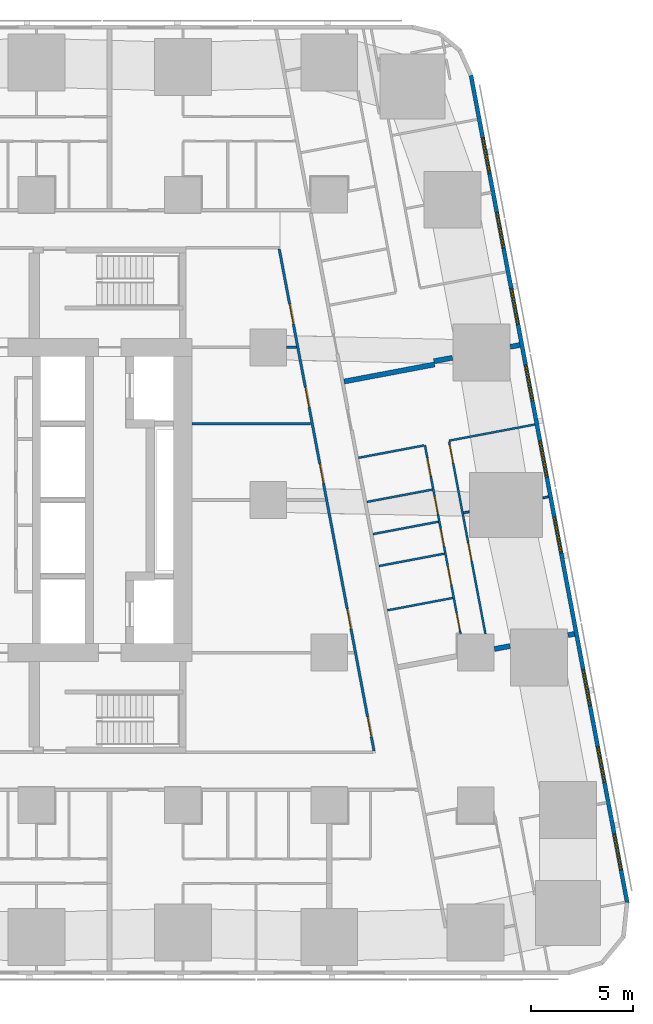
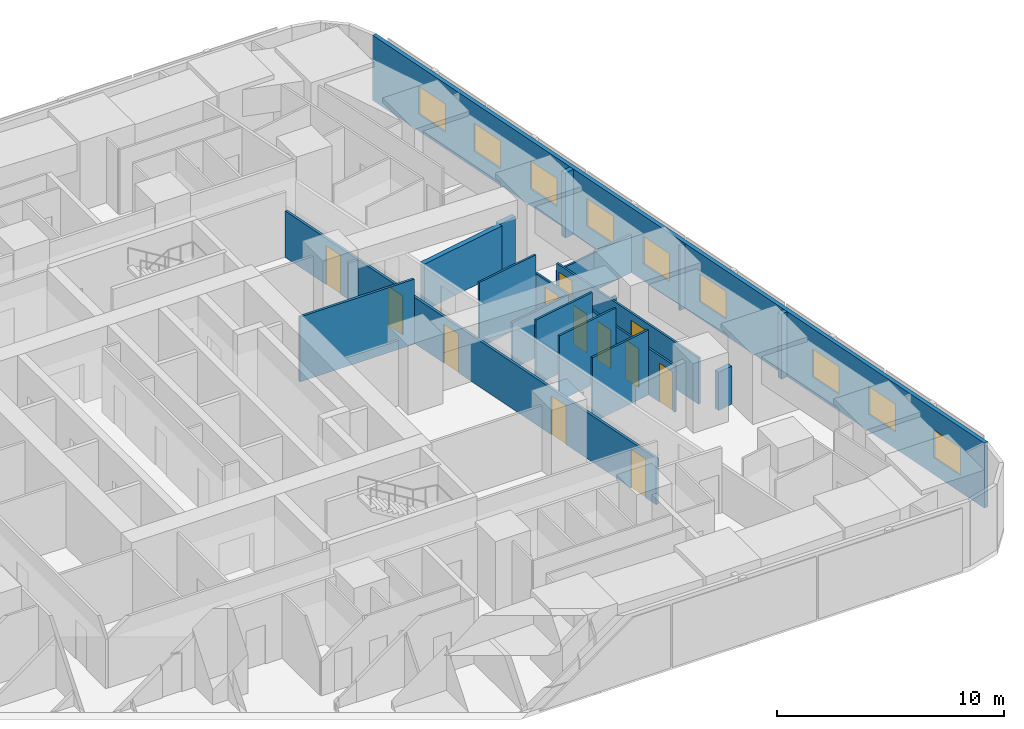
# One storey, part 10 of 18: 19 walls, 12 doors, 9 windows, 21 openings.
"""IFC4 building model written with IfcOpenShell, lengths in metres."""

from ifc_helpers import new_model, si_unit, direction, frame, frame_2d, origin, place, context, subcontext, project, spatial, rectangle, extrude, material, layer, layer_set, type_object, element, fill, save


model = new_model("IFC4")

# Units and contexts
model_context = context("Model", 3, precision=1e-05, world=origin(), true_north=direction((0.0, 1.0)))
body_context = subcontext(model_context, "Body", "Model", "MODEL_VIEW")
ifc_project = project(units=[si_unit("LENGTHUNIT", "METRE"), si_unit("AREAUNIT", "SQUARE_METRE"), si_unit("VOLUMEUNIT", "CUBIC_METRE"), si_unit("PLANEANGLEUNIT", "RADIAN"), si_unit("MASSUNIT", "GRAM", prefix="KILO")], contexts=[model_context])

# Site, building, storey
site_placement = place(None, origin())
site = spatial("IfcSite", under=ifc_project, at=site_placement, CompositionType="ELEMENT")
building_placement = place(site_placement, origin())
building = spatial("IfcBuilding", under=site, at=building_placement, Name="Sheger Commons Tower", CompositionType="ELEMENT")
storey_placement = place(building_placement, frame((0.0, 0.0, 35.0)))
storey = spatial("IfcBuildingStorey", under=building, at=storey_placement, Name="L08", CompositionType="ELEMENT", Elevation=35.0)

# Walls
ifc_material_1 = material(Name="Dense concrete block masonry, plastered both sides (separating wall between flats)", Category="masonry")
ifc_layer_1 = layer(ifc_material_1, 0.25)
ifc_layer_set_1 = layer_set([ifc_layer_1], Name="DEMISING WALL 250")
wall_type_1 = type_object("IfcWallType", Name="DEMISING WALL 250", PredefinedType="SOLIDWALL", material=ifc_layer_set_1)
wall_1_placement = place(storey_placement, frame((45.3720703125, 30.12109375, 0.0), z_axis=(0.0, 0.0, 1.0), x_axis=(-0.982352019699, -0.187041464366, 0.0)))
element("IfcWall", 1, at=wall_1_placement, inside=storey, type_object=wall_type_1, Name="Demising wall L08", PredefinedType="SOLIDWALL", context=body_context, shape_type="SweptSolid", body=[
    extrude(rectangle(XDim=0.476318359375, YDim=0.25, at=frame_2d((0.23828125, 0.0))), origin(), (0.0, 0.0, 1.0), 3.5),
])
wall_2_placement = place(storey_placement, frame((42.055908203125, 29.493896484375, 0.0), z_axis=(0.0, 0.0, 1.0), x_axis=(-0.982587178881, -0.185802141803, 0.0)))
element("IfcWall", 2, at=wall_2_placement, inside=storey, type_object=wall_type_1, Name="Demising wall L08", PredefinedType="SOLIDWALL", context=body_context, shape_type="SweptSolid", body=[
    extrude(rectangle(XDim=0.925048828125, YDim=0.25, at=frame_2d((0.46240234375, 0.0))), origin(), (0.0, 0.0, 1.0), 2.5),
])
wall_3_placement = place(storey_placement, frame((41.177001953125, 29.1640625, 0.0), z_axis=(0.0, 0.0, 1.0), x_axis=(-0.982612837616, -0.185666398014, 0.0)))
element("IfcWall", 3, at=wall_3_placement, inside=storey, type_object=wall_type_1, Name="Demising wall L08", PredefinedType="SOLIDWALL", context=body_context, shape_type="SweptSolid", body=[
    extrude(rectangle(XDim=4.524658203125, YDim=0.25, at=frame_2d((2.26220703125, 0.0))), origin(), (0.0, 0.0, 1.0), 2.5),
])
wall_4_placement = place(storey_placement, frame((48.054931640625, 15.9169921875, 0.0), z_axis=(0.0, 0.0, 1.0), x_axis=(-0.982510408223, -0.186207673669, 0.0)))
element("IfcWall", 4, at=wall_4_placement, inside=storey, type_object=wall_type_1, Name="Demising wall L08", PredefinedType="SOLIDWALL", context=body_context, shape_type="SweptSolid", body=[
    extrude(rectangle(XDim=0.322509765625, YDim=0.25, at=frame_2d((0.1611328125, 0.0))), origin(), (0.0, 0.0, 1.0), 3.5),
])
wall_5_placement = place(storey_placement, frame((44.889892578125, 15.319091796875, 0.0), z_axis=(0.0, 0.0, 1.0), x_axis=(-0.982540856152, -0.186046945666, 0.0)))
element("IfcWall", 5, at=wall_5_placement, inside=storey, type_object=wall_type_1, Name="Demising wall L08", PredefinedType="SOLIDWALL", context=body_context, shape_type="SweptSolid", body=[
    extrude(rectangle(XDim=0.779541015625, YDim=0.25, at=frame_2d((0.3896484375, 0.0))), origin(), (0.0, 0.0, 1.0), 2.050048828125),
])

# Wall, openings, windows
ifc_material_2 = material(Name="Rendered concrete block masonry, dark grey", Category="masonry")
ifc_layer_2 = layer(ifc_material_2, 0.199951171875)
ifc_layer_set_2 = layer_set([ifc_layer_2], Name="FACADE WALL 200")
wall_type_2 = type_object("IfcWallType", Name="FACADE WALL 200", PredefinedType="SOLIDWALL", material=ifc_layer_set_2)
wall_6_placement = place(storey_placement, frame((50.653076171875, 2.702880859375, 0.0), z_axis=(0.0, 0.0, 1.0), x_axis=(-0.185612026696, 0.982623109613, 0.0)))
wall_6 = element("IfcWall", 6, at=wall_6_placement, inside=storey, type_object=wall_type_2, Name="Facade wall L08", PredefinedType="SOLIDWALL", context=body_context, shape_type="SweptSolid", body=[
    extrude(rectangle(XDim=41.393310546875, YDim=0.199951171875, at=frame_2d((20.69677734375, 0.0))), origin(), (0.0, 0.0, 1.0), 3.5),
])
opening_1_placement = place(wall_6_placement, frame((1.633056640625, 0.0, 0.89990234375)))
opening_1 = element("IfcOpeningElement", 7, at=opening_1_placement, cuts=wall_6, Name="Opening W2", PredefinedType="OPENING", context=body_context, shape_type="SweptSolid", body=[
    extrude(rectangle(XDim=1.800048828125, YDim=1.5, at=frame_2d((0.89990234375, 0.75))), frame((0.0, 0.10986328125, 0.0), z_axis=(0.0, -1.0, 0.0), x_axis=(1.0, 0.0, 0.0)), (0.0, 0.0, 1.0), 0.219970703125),
])
opening_2_placement = place(wall_6_placement, frame((6.031982421875, 0.0, 0.89990234375)))
opening_2 = element("IfcOpeningElement", 8, at=opening_2_placement, cuts=wall_6, Name="Opening W2", PredefinedType="OPENING", context=body_context, shape_type="SweptSolid", body=[
    extrude(rectangle(XDim=1.800048828125, YDim=1.5, at=frame_2d((0.89990234375, 0.75))), frame((0.0, 0.10986328125, 0.0), z_axis=(0.0, -1.0, 0.0), x_axis=(1.0, 0.0, 0.0)), (0.0, 0.0, 1.0), 0.219970703125),
])
opening_3_placement = place(wall_6_placement, frame((9.847900390625, 0.0, 0.89990234375)))
opening_3 = element("IfcOpeningElement", 9, at=opening_3_placement, cuts=wall_6, Name="Opening W2", PredefinedType="OPENING", context=body_context, shape_type="SweptSolid", body=[
    extrude(rectangle(XDim=1.800048828125, YDim=1.5, at=frame_2d((0.89990234375, 0.75))), frame((0.0, 0.10986328125, 0.0), z_axis=(0.0, -1.0, 0.0), x_axis=(1.0, 0.0, 0.0)), (0.0, 0.0, 1.0), 0.219970703125),
])
opening_4_placement = place(wall_6_placement, frame((17.48095703125, 0.0, 0.89990234375)))
opening_4 = element("IfcOpeningElement", 10, at=opening_4_placement, cuts=wall_6, Name="Opening W2", PredefinedType="OPENING", context=body_context, shape_type="SweptSolid", body=[
    extrude(rectangle(XDim=1.800048828125, YDim=1.5, at=frame_2d((0.89990234375, 0.75))), frame((0.0, 0.10986328125, 0.0), z_axis=(0.0, -1.0, 0.0), x_axis=(1.0, 0.0, 0.0)), (0.0, 0.0, 1.0), 0.219970703125),
])
opening_5_placement = place(wall_6_placement, frame((21.297119140625, 0.0, 0.89990234375)))
opening_5 = element("IfcOpeningElement", 11, at=opening_5_placement, cuts=wall_6, Name="Opening W2", PredefinedType="OPENING", context=body_context, shape_type="SweptSolid", body=[
    extrude(rectangle(XDim=1.800048828125, YDim=1.5, at=frame_2d((0.89990234375, 0.75))), frame((0.0, 0.10986328125, 0.0), z_axis=(0.0, -1.0, 0.0), x_axis=(1.0, 0.0, 0.0)), (0.0, 0.0, 1.0), 0.219970703125),
])
opening_6_placement = place(wall_6_placement, frame((25.113037109375, 0.0, 0.89990234375)))
opening_6 = element("IfcOpeningElement", 12, at=opening_6_placement, cuts=wall_6, Name="Opening W2", PredefinedType="OPENING", context=body_context, shape_type="SweptSolid", body=[
    extrude(rectangle(XDim=1.800048828125, YDim=1.5, at=frame_2d((0.89990234375, 0.75))), frame((0.0, 0.10986328125, 0.0), z_axis=(0.0, -1.0, 0.0), x_axis=(1.0, 0.0, 0.0)), (0.0, 0.0, 1.0), 0.219970703125),
])
opening_7_placement = place(wall_6_placement, frame((28.929931640625, 0.0, 0.89990234375)))
opening_7 = element("IfcOpeningElement", 13, at=opening_7_placement, cuts=wall_6, Name="Opening W2", PredefinedType="OPENING", context=body_context, shape_type="SweptSolid", body=[
    extrude(rectangle(XDim=1.800048828125, YDim=1.5, at=frame_2d((0.89990234375, 0.75))), frame((0.0, 0.10986328125, 0.0), z_axis=(0.0, -1.0, 0.0), x_axis=(1.0, 0.0, 0.0)), (0.0, 0.0, 1.0), 0.219970703125),
])
opening_8_placement = place(wall_6_placement, frame((32.74609375, 0.0, 0.89990234375)))
opening_8 = element("IfcOpeningElement", 14, at=opening_8_placement, cuts=wall_6, Name="Opening W2", PredefinedType="OPENING", context=body_context, shape_type="SweptSolid", body=[
    extrude(rectangle(XDim=1.800048828125, YDim=1.5, at=frame_2d((0.89990234375, 0.75))), frame((0.0, 0.10986328125, 0.0), z_axis=(0.0, -1.0, 0.0), x_axis=(1.0, 0.0, 0.0)), (0.0, 0.0, 1.0), 0.219970703125),
])
opening_9_placement = place(wall_6_placement, frame((36.48095703125, 0.0, 0.89990234375)))
opening_9 = element("IfcOpeningElement", 15, at=opening_9_placement, cuts=wall_6, Name="Opening W2", PredefinedType="OPENING", context=body_context, shape_type="SweptSolid", body=[
    extrude(rectangle(XDim=1.800048828125, YDim=1.5, at=frame_2d((0.89990234375, 0.75))), frame((0.0, 0.10986328125, 0.0), z_axis=(0.0, -1.0, 0.0), x_axis=(1.0, 0.0, 0.0)), (0.0, 0.0, 1.0), 0.219970703125),
])
ifc_material_3 = material(Name="Black aluminium frame, dark tinted double glazing", Category="aluminium")
window_type = type_object("IfcWindowType", Name="WINDOW W2 1800x1500", PartitioningType="SINGLE_PANEL", PredefinedType="WINDOW", material=ifc_material_3)
window_1_placement = place(opening_1_placement, origin())
window_1 = element("IfcWindow", 16, at=window_1_placement, inside=storey, type_object=window_type, Name="Window W2 1800X1500", OverallHeight=1.5, OverallWidth=1.800048828125, PartitioningType="SINGLE_PANEL", PredefinedType="WINDOW", context=body_context, shape_type="SweptSolid", body=[
    extrude(rectangle(XDim=1.800048828125, YDim=1.5, at=frame_2d((0.89990234375, 0.75))), frame((0.0, 0.030029296875, 0.0), z_axis=(0.0, -1.0, 0.0), x_axis=(1.0, 0.0, 0.0)), (0.0, 0.0, 1.0), 0.06005859375),
])
fill(opening_1, window_1)
window_2_placement = place(opening_2_placement, origin())
window_2 = element("IfcWindow", 17, at=window_2_placement, inside=storey, type_object=window_type, Name="Window W2 1800X1500", OverallHeight=1.5, OverallWidth=1.800048828125, PartitioningType="SINGLE_PANEL", PredefinedType="WINDOW", context=body_context, shape_type="SweptSolid", body=[
    extrude(rectangle(XDim=1.800048828125, YDim=1.5, at=frame_2d((0.89990234375, 0.75))), frame((0.0, 0.030029296875, 0.0), z_axis=(0.0, -1.0, 0.0), x_axis=(1.0, 0.0, 0.0)), (0.0, 0.0, 1.0), 0.06005859375),
])
fill(opening_2, window_2)
window_3_placement = place(opening_3_placement, origin())
window_3 = element("IfcWindow", 18, at=window_3_placement, inside=storey, type_object=window_type, Name="Window W2 1800X1500", OverallHeight=1.5, OverallWidth=1.800048828125, PartitioningType="SINGLE_PANEL", PredefinedType="WINDOW", context=body_context, shape_type="SweptSolid", body=[
    extrude(rectangle(XDim=1.800048828125, YDim=1.5, at=frame_2d((0.89990234375, 0.75))), frame((0.0, 0.030029296875, 0.0), z_axis=(0.0, -1.0, 0.0), x_axis=(1.0, 0.0, 0.0)), (0.0, 0.0, 1.0), 0.06005859375),
])
fill(opening_3, window_3)
window_4_placement = place(opening_4_placement, origin())
window_4 = element("IfcWindow", 19, at=window_4_placement, inside=storey, type_object=window_type, Name="Window W2 1800X1500", OverallHeight=1.5, OverallWidth=1.800048828125, PartitioningType="SINGLE_PANEL", PredefinedType="WINDOW", context=body_context, shape_type="SweptSolid", body=[
    extrude(rectangle(XDim=1.800048828125, YDim=1.5, at=frame_2d((0.89990234375, 0.75))), frame((0.0, 0.030029296875, 0.0), z_axis=(0.0, -1.0, 0.0), x_axis=(1.0, 0.0, 0.0)), (0.0, 0.0, 1.0), 0.06005859375),
])
fill(opening_4, window_4)
window_5_placement = place(opening_5_placement, origin())
window_5 = element("IfcWindow", 20, at=window_5_placement, inside=storey, type_object=window_type, Name="Window W2 1800X1500", OverallHeight=1.5, OverallWidth=1.800048828125, PartitioningType="SINGLE_PANEL", PredefinedType="WINDOW", context=body_context, shape_type="SweptSolid", body=[
    extrude(rectangle(XDim=1.800048828125, YDim=1.5, at=frame_2d((0.89990234375, 0.75))), frame((0.0, 0.030029296875, 0.0), z_axis=(0.0, -1.0, 0.0), x_axis=(1.0, 0.0, 0.0)), (0.0, 0.0, 1.0), 0.06005859375),
])
fill(opening_5, window_5)
window_6_placement = place(opening_6_placement, origin())
window_6 = element("IfcWindow", 21, at=window_6_placement, inside=storey, type_object=window_type, Name="Window W2 1800X1500", OverallHeight=1.5, OverallWidth=1.800048828125, PartitioningType="SINGLE_PANEL", PredefinedType="WINDOW", context=body_context, shape_type="SweptSolid", body=[
    extrude(rectangle(XDim=1.800048828125, YDim=1.5, at=frame_2d((0.89990234375, 0.75))), frame((0.0, 0.030029296875, 0.0), z_axis=(0.0, -1.0, 0.0), x_axis=(1.0, 0.0, 0.0)), (0.0, 0.0, 1.0), 0.06005859375),
])
fill(opening_6, window_6)
window_7_placement = place(opening_7_placement, origin())
window_7 = element("IfcWindow", 22, at=window_7_placement, inside=storey, type_object=window_type, Name="Window W2 1800X1500", OverallHeight=1.5, OverallWidth=1.800048828125, PartitioningType="SINGLE_PANEL", PredefinedType="WINDOW", context=body_context, shape_type="SweptSolid", body=[
    extrude(rectangle(XDim=1.800048828125, YDim=1.5, at=frame_2d((0.89990234375, 0.75))), frame((0.0, 0.030029296875, 0.0), z_axis=(0.0, -1.0, 0.0), x_axis=(1.0, 0.0, 0.0)), (0.0, 0.0, 1.0), 0.06005859375),
])
fill(opening_7, window_7)
window_8_placement = place(opening_8_placement, origin())
window_8 = element("IfcWindow", 23, at=window_8_placement, inside=storey, type_object=window_type, Name="Window W2 1800X1500", OverallHeight=1.5, OverallWidth=1.800048828125, PartitioningType="SINGLE_PANEL", PredefinedType="WINDOW", context=body_context, shape_type="SweptSolid", body=[
    extrude(rectangle(XDim=1.800048828125, YDim=1.5, at=frame_2d((0.89990234375, 0.75))), frame((0.0, 0.030029296875, 0.0), z_axis=(0.0, -1.0, 0.0), x_axis=(1.0, 0.0, 0.0)), (0.0, 0.0, 1.0), 0.06005859375),
])
fill(opening_8, window_8)
window_9_placement = place(opening_9_placement, origin())
window_9 = element("IfcWindow", 24, at=window_9_placement, inside=storey, type_object=window_type, Name="Window W2 1800X1500", OverallHeight=1.5, OverallWidth=1.800048828125, PartitioningType="SINGLE_PANEL", PredefinedType="WINDOW", context=body_context, shape_type="SweptSolid", body=[
    extrude(rectangle(XDim=1.800048828125, YDim=1.5, at=frame_2d((0.89990234375, 0.75))), frame((0.0, 0.030029296875, 0.0), z_axis=(0.0, -1.0, 0.0), x_axis=(1.0, 0.0, 0.0)), (0.0, 0.0, 1.0), 0.06005859375),
])
fill(opening_9, window_9)

# Wall, openings, doors
ifc_material_4 = material(Name="Gypsum board on steel studs", Category="steel")
ifc_layer_3 = layer(ifc_material_4, 0.10009765625)
ifc_layer_set_3 = layer_set([ifc_layer_3], Name="PARTITION 100")
wall_type_3 = type_object("IfcWallType", Name="PARTITION 100", PredefinedType="PARTITIONING", material=ifc_layer_set_3)
wall_7_placement = place(storey_placement, frame((41.89404296875, 25.365966796875, 0.0), z_axis=(0.0, 0.0, 1.0), x_axis=(0.185581190027, -0.982628933987, 0.0)))
wall_7 = element("IfcWall", 25, at=wall_7_placement, inside=storey, type_object=wall_type_3, Name="Partition L08", PredefinedType="PARTITIONING", context=body_context, shape_type="SweptSolid", body=[
    extrude(rectangle(XDim=9.623291015625, YDim=0.10009765625, at=frame_2d((4.8115234375, 0.0))), origin(), (0.0, 0.0, 1.0), 2.5),
])
opening_10_placement = place(wall_7_placement, frame((0.15087890625, 0.0, 0.0)))
opening_10 = element("IfcOpeningElement", 26, at=opening_10_placement, cuts=wall_7, Name="Opening D2", PredefinedType="OPENING", context=body_context, shape_type="SweptSolid", body=[
    extrude(rectangle(XDim=0.89990234375, YDim=2.10009765625, at=frame_2d((0.449951171875, 1.050048828125))), frame((0.0, 0.06005859375, 0.0), z_axis=(0.0, -1.0, 0.0), x_axis=(1.0, 0.0, 0.0)), (0.0, 0.0, 1.0), 0.1201171875),
])
opening_11_placement = place(wall_7_placement, frame((5.050048828125, 0.0, 0.0)))
opening_11 = element("IfcOpeningElement", 27, at=opening_11_placement, cuts=wall_7, Name="Opening D2", PredefinedType="OPENING", context=body_context, shape_type="SweptSolid", body=[
    extrude(rectangle(XDim=0.89990234375, YDim=2.10009765625, at=frame_2d((0.449951171875, 1.050048828125))), frame((0.0, 0.06005859375, 0.0), z_axis=(0.0, -1.0, 0.0), x_axis=(1.0, 0.0, 0.0)), (0.0, 0.0, 1.0), 0.1201171875),
])
ifc_material_5 = material(Name="Timber door set", Category="wood")
door_type_1 = type_object("IfcDoorType", Name="INTERNAL DOOR 900x2100", OperationType="NOTDEFINED", PredefinedType="DOOR", material=ifc_material_5)
door_1_placement = place(opening_10_placement, origin())
door_1 = element("IfcDoor", 28, at=door_1_placement, inside=storey, type_object=door_type_1, Name="Main bedroom door", OperationType="SINGLE_SWING_LEFT", OverallHeight=2.10009765625, OverallWidth=0.89990234375, PredefinedType="DOOR", context=body_context, shape_type="SweptSolid", body=[
    extrude(rectangle(XDim=0.89990234375, YDim=2.10009765625, at=frame_2d((0.449951171875, 1.050048828125))), frame((0.0, 0.02490234375, 0.0), z_axis=(0.0, -1.0, 0.0), x_axis=(1.0, 0.0, 0.0)), (0.0, 0.0, 1.0), 0.050048828125),
])
fill(opening_10, door_1)
door_2_placement = place(opening_11_placement, origin())
door_2 = element("IfcDoor", 29, at=door_2_placement, inside=storey, type_object=door_type_1, Name="Bedroom 2 door", OperationType="SINGLE_SWING_LEFT", OverallHeight=2.10009765625, OverallWidth=0.89990234375, PredefinedType="DOOR", context=body_context, shape_type="SweptSolid", body=[
    extrude(rectangle(XDim=0.89990234375, YDim=2.10009765625, at=frame_2d((0.449951171875, 1.050048828125))), frame((0.0, 0.02490234375, 0.0), z_axis=(0.0, -1.0, 0.0), x_axis=(1.0, 0.0, 0.0)), (0.0, 0.0, 1.0), 0.050048828125),
])
fill(opening_11, door_2)

wall_8_placement = place(storey_placement, frame((40.7060546875, 25.19189453125, 0.0), z_axis=(0.0, 0.0, 1.0), x_axis=(0.185572668944, -0.982630543257, 0.0)))
wall_8 = element("IfcWall", 30, at=wall_8_placement, inside=storey, type_object=wall_type_3, Name="Partition L08", PredefinedType="PARTITIONING", context=body_context, shape_type="SweptSolid", body=[
    extrude(rectangle(XDim=9.446044921875, YDim=0.10009765625, at=frame_2d((4.72314453125, 0.0))), origin(), (0.0, 0.0, 1.0), 2.5),
])
opening_12_placement = place(wall_8_placement, frame((0.655029296875, 0.0, 0.0)))
opening_12 = element("IfcOpeningElement", 31, at=opening_12_placement, cuts=wall_8, Name="Opening D2", PredefinedType="OPENING", context=body_context, shape_type="SweptSolid", body=[
    extrude(rectangle(XDim=0.89990234375, YDim=2.10009765625, at=frame_2d((0.449951171875, 1.050048828125))), frame((0.0, 0.06005859375, 0.0), z_axis=(0.0, -1.0, 0.0), x_axis=(1.0, 0.0, 0.0)), (0.0, 0.0, 1.0), 0.1201171875),
])
opening_13_placement = place(wall_8_placement, frame((4.166015625, 0.0, 0.0)))
opening_13 = element("IfcOpeningElement", 32, at=opening_13_placement, cuts=wall_8, Name="Opening D2", PredefinedType="OPENING", context=body_context, shape_type="SweptSolid", body=[
    extrude(rectangle(XDim=0.89990234375, YDim=2.10009765625, at=frame_2d((0.449951171875, 1.050048828125))), frame((0.0, 0.06005859375, 0.0), z_axis=(0.0, -1.0, 0.0), x_axis=(1.0, 0.0, 0.0)), (0.0, 0.0, 1.0), 0.1201171875),
])
opening_14_placement = place(wall_8_placement, frame((8.39599609375, 0.0, 0.0)))
opening_14 = element("IfcOpeningElement", 33, at=opening_14_placement, cuts=wall_8, Name="Opening D2", PredefinedType="OPENING", context=body_context, shape_type="SweptSolid", body=[
    extrude(rectangle(XDim=0.89990234375, YDim=2.10009765625, at=frame_2d((0.449951171875, 1.050048828125))), frame((0.0, 0.06005859375, 0.0), z_axis=(0.0, -1.0, 0.0), x_axis=(1.0, 0.0, 0.0)), (0.0, 0.0, 1.0), 0.1201171875),
])
opening_15_placement = place(wall_8_placement, frame((2.56298828125, 0.0, 0.0)))
opening_15 = element("IfcOpeningElement", 34, at=opening_15_placement, cuts=wall_8, Name="Opening D2", PredefinedType="OPENING", context=body_context, shape_type="SweptSolid", body=[
    extrude(rectangle(XDim=0.89990234375, YDim=2.10009765625, at=frame_2d((0.449951171875, 1.050048828125))), frame((0.0, 0.06005859375, 0.0), z_axis=(0.0, -1.0, 0.0), x_axis=(1.0, 0.0, 0.0)), (0.0, 0.0, 1.0), 0.1201171875),
])
opening_16_placement = place(wall_8_placement, frame((6.073974609375, 0.0, 0.0)))
opening_16 = element("IfcOpeningElement", 35, at=opening_16_placement, cuts=wall_8, Name="Opening D2", PredefinedType="OPENING", context=body_context, shape_type="SweptSolid", body=[
    extrude(rectangle(XDim=0.89990234375, YDim=2.10009765625, at=frame_2d((0.449951171875, 1.050048828125))), frame((0.0, 0.06005859375, 0.0), z_axis=(0.0, -1.0, 0.0), x_axis=(1.0, 0.0, 0.0)), (0.0, 0.0, 1.0), 0.1201171875),
])
door_3_placement = place(opening_12_placement, origin())
door_3 = element("IfcDoor", 36, at=door_3_placement, inside=storey, type_object=door_type_1, Name="Bathroom door", OperationType="SINGLE_SWING_RIGHT", OverallHeight=2.10009765625, OverallWidth=0.89990234375, PredefinedType="DOOR", context=body_context, shape_type="SweptSolid", body=[
    extrude(rectangle(XDim=0.89990234375, YDim=2.10009765625, at=frame_2d((0.449951171875, 1.050048828125))), frame((0.0, 0.02490234375, 0.0), z_axis=(0.0, -1.0, 0.0), x_axis=(1.0, 0.0, 0.0)), (0.0, 0.0, 1.0), 0.050048828125),
])
fill(opening_12, door_3)
door_4_placement = place(opening_13_placement, origin())
door_4 = element("IfcDoor", 37, at=door_4_placement, inside=storey, type_object=door_type_1, Name="Shower room door", OperationType="SINGLE_SWING_LEFT", OverallHeight=2.10009765625, OverallWidth=0.89990234375, PredefinedType="DOOR", context=body_context, shape_type="SweptSolid", body=[
    extrude(rectangle(XDim=0.89990234375, YDim=2.10009765625, at=frame_2d((0.449951171875, 1.050048828125))), frame((0.0, 0.02490234375, 0.0), z_axis=(0.0, -1.0, 0.0), x_axis=(1.0, 0.0, 0.0)), (0.0, 0.0, 1.0), 0.050048828125),
])
fill(opening_13, door_4)
door_5_placement = place(opening_14_placement, origin())
door_5 = element("IfcDoor", 38, at=door_5_placement, inside=storey, type_object=door_type_1, Name="Store and laundry door", OperationType="SINGLE_SWING_LEFT", OverallHeight=2.10009765625, OverallWidth=0.89990234375, PredefinedType="DOOR", context=body_context, shape_type="SweptSolid", body=[
    extrude(rectangle(XDim=0.89990234375, YDim=2.10009765625, at=frame_2d((0.449951171875, 1.050048828125))), frame((0.0, 0.02490234375, 0.0), z_axis=(0.0, -1.0, 0.0), x_axis=(1.0, 0.0, 0.0)), (0.0, 0.0, 1.0), 0.050048828125),
])
fill(opening_14, door_5)
door_6_placement = place(opening_15_placement, origin())
door_6 = element("IfcDoor", 39, at=door_6_placement, inside=storey, type_object=door_type_1, Name="Store door", OperationType="SINGLE_SWING_RIGHT", OverallHeight=2.10009765625, OverallWidth=0.89990234375, PredefinedType="DOOR", context=body_context, shape_type="SweptSolid", body=[
    extrude(rectangle(XDim=0.89990234375, YDim=2.10009765625, at=frame_2d((0.449951171875, 1.050048828125))), frame((0.0, 0.02490234375, 0.0), z_axis=(0.0, -1.0, 0.0), x_axis=(1.0, 0.0, 0.0)), (0.0, 0.0, 1.0), 0.050048828125),
])
fill(opening_15, door_6)
door_7_placement = place(opening_16_placement, origin())
door_7 = element("IfcDoor", 40, at=door_7_placement, inside=storey, type_object=door_type_1, Name="Store door", OperationType="SINGLE_SWING_RIGHT", OverallHeight=2.10009765625, OverallWidth=0.89990234375, PredefinedType="DOOR", context=body_context, shape_type="SweptSolid", body=[
    extrude(rectangle(XDim=0.89990234375, YDim=2.10009765625, at=frame_2d((0.449951171875, 1.050048828125))), frame((0.0, 0.02490234375, 0.0), z_axis=(0.0, -1.0, 0.0), x_axis=(1.0, 0.0, 0.0)), (0.0, 0.0, 1.0), 0.050048828125),
])
fill(opening_16, door_7)

# Walls
wall_9_placement = place(storey_placement, frame((46.110107421875, 26.212890625, 0.0), z_axis=(0.0, 0.0, 1.0), x_axis=(-0.982633535512, -0.185556823879, 0.0)))
element("IfcWall", 41, at=wall_9_placement, inside=storey, type_object=wall_type_3, Name="Partition L08", PredefinedType="PARTITIONING", context=body_context, shape_type="SweptSolid", body=[
    extrude(rectangle(XDim=4.2998046875, YDim=0.10009765625, at=frame_2d((2.14990234375, 0.0))), origin(), (0.0, 0.0, 1.0), 2.050048828125),
])
wall_10_placement = place(storey_placement, frame((46.781982421875, 22.656982421875, 0.0), z_axis=(0.0, 0.0, 1.0), x_axis=(-0.982574553168, -0.185868898601, 0.0)))
element("IfcWall", 42, at=wall_10_placement, inside=storey, type_object=wall_type_3, Name="Partition L08", PredefinedType="PARTITIONING", context=body_context, shape_type="SweptSolid", body=[
    extrude(rectangle(XDim=0.27978515625, YDim=0.10009765625, at=frame_2d((0.139892578125, 0.0))), origin(), (0.0, 0.0, 1.0), 3.5),
])
wall_11_placement = place(storey_placement, frame((42.886962890625, 21.9208984375, 0.0), z_axis=(0.0, 0.0, 1.0), x_axis=(-0.982688058078, -0.185267861514, 0.0)))
element("IfcWall", 43, at=wall_11_placement, inside=storey, type_object=wall_type_3, Name="Partition L08", PredefinedType="PARTITIONING", context=body_context, shape_type="SweptSolid", body=[
    extrude(rectangle(XDim=0.285888671875, YDim=0.10009765625, at=frame_2d((0.14306640625, 0.0))), origin(), (0.0, 0.0, 1.0), 2.5),
])
for number, where, z_axis, x_axis, name in (
    (44, (40.656982421875, 25.18310546875, 0.0), (0.0, 0.0, 1.0), (-0.982607026909, -0.185697147715, 0.0), "Partition L08"),
    (45, (41.364990234375, 21.43310546875, 0.0), (0.0, 0.0, 1.0), (-0.982607026909, -0.185697147715, 0.0), "Partition L08"),
    (46, (42.072998046875, 17.68310546875, 0.0), (0.0, 0.0, 1.0), (-0.982607026909, -0.185697147715, 0.0), "Partition L08"),
):
    element("IfcWall", number, at=place(storey_placement, frame(where, z_axis=z_axis, x_axis=x_axis)), inside=storey, type_object=wall_type_3, Name=name, PredefinedType="PARTITIONING", context=body_context, shape_type="SweptSolid", body=[
        extrude(rectangle(XDim=3.27490234375, YDim=0.10009765625, at=frame_2d((1.637451171875, 0.0))), origin(), (0.0, 0.0, 1.0), 3.5),
    ])
wall_12_placement = place(storey_placement, frame((41.06689453125, 23.010986328125, 0.0), z_axis=(0.0, 0.0, 1.0), x_axis=(-0.982618057925, -0.185638768151, 0.0)))
element("IfcWall", 47, at=wall_12_placement, inside=storey, type_object=wall_type_3, Name="Partition L08", PredefinedType="PARTITIONING", context=body_context, shape_type="SweptSolid", body=[
    extrude(rectangle(XDim=3.274658203125, YDim=0.10009765625, at=frame_2d((1.63720703125, 0.0))), origin(), (0.0, 0.0, 1.0), 2.5),
])
wall_13_placement = place(storey_placement, frame((41.662109375, 19.861083984375, 0.0), z_axis=(0.0, 0.0, 1.0), x_axis=(-0.982607026909, -0.185697147715, 0.0)))
element("IfcWall", 48, at=wall_13_placement, inside=storey, type_object=wall_type_3, Name="Partition L08", PredefinedType="PARTITIONING", context=body_context, shape_type="SweptSolid", body=[
    extrude(rectangle(XDim=3.27490234375, YDim=0.10009765625, at=frame_2d((1.637451171875, 0.0))), origin(), (0.0, 0.0, 1.0), 3.5),
])

# Wall, openings, doors
ifc_material_6 = material(Name="Gypsum board on steel studs, two layers each side, fire rated", Category="steel")
ifc_layer_4 = layer(ifc_material_6, 0.125)
ifc_layer_set_4 = layer_set([ifc_layer_4], Name="SERVICE WALL 125")
wall_type_4 = type_object("IfcWallType", Name="SERVICE WALL 125", PredefinedType="PARTITIONING", material=ifc_layer_set_4)
wall_14_placement = place(storey_placement, frame((38.201904296875, 10.1630859375, 0.0), z_axis=(0.0, 0.0, 1.0), x_axis=(-0.185610321132, 0.982623431783, 0.0)))
wall_14 = element("IfcWall", 49, at=wall_14_placement, inside=storey, type_object=wall_type_4, Name="Service room wall L08", PredefinedType="PARTITIONING", context=body_context, shape_type="SweptSolid", body=[
    extrude(rectangle(XDim=25.111083984375, YDim=0.125, at=frame_2d((12.5556640625, 0.0))), origin(), (0.0, 0.0, 1.0), 2.5),
])
opening_17_placement = place(wall_14_placement, frame((0.7080078125, 0.0, 0.0)))
opening_17 = element("IfcOpeningElement", 50, at=opening_17_placement, cuts=wall_14, Name="Opening D4", PredefinedType="OPENING", context=body_context, shape_type="SweptSolid", body=[
    extrude(rectangle(XDim=1.0, YDim=2.10009765625, at=frame_2d((0.5, 1.050048828125))), frame((0.0, 0.072509765625, 0.0), z_axis=(0.0, -1.0, 0.0), x_axis=(1.0, 0.0, 0.0)), (0.0, 0.0, 1.0), 0.14501953125),
])
opening_18_placement = place(wall_14_placement, frame((6.10009765625, 0.0, 0.0)))
opening_18 = element("IfcOpeningElement", 51, at=opening_18_placement, cuts=wall_14, Name="Opening D4", PredefinedType="OPENING", context=body_context, shape_type="SweptSolid", body=[
    extrude(rectangle(XDim=1.0, YDim=2.10009765625, at=frame_2d((0.5, 1.050048828125))), frame((0.0, 0.072509765625, 0.0), z_axis=(0.0, -1.0, 0.0), x_axis=(1.0, 0.0, 0.0)), (0.0, 0.0, 1.0), 0.14501953125),
])
opening_19_placement = place(wall_14_placement, frame((13.3779296875, 0.0, 0.0)))
opening_19 = element("IfcOpeningElement", 52, at=opening_19_placement, cuts=wall_14, Name="Opening D4", PredefinedType="OPENING", context=body_context, shape_type="SweptSolid", body=[
    extrude(rectangle(XDim=1.0, YDim=2.10009765625, at=frame_2d((0.5, 1.050048828125))), frame((0.0, 0.072509765625, 0.0), z_axis=(0.0, -1.0, 0.0), x_axis=(1.0, 0.0, 0.0)), (0.0, 0.0, 1.0), 0.14501953125),
])
opening_20_placement = place(wall_14_placement, frame((17.194091796875, 0.0, 0.0)))
opening_20 = element("IfcOpeningElement", 53, at=opening_20_placement, cuts=wall_14, Name="Opening D4", PredefinedType="OPENING", context=body_context, shape_type="SweptSolid", body=[
    extrude(rectangle(XDim=1.0, YDim=2.10009765625, at=frame_2d((0.5, 1.050048828125))), frame((0.0, 0.072509765625, 0.0), z_axis=(0.0, -1.0, 0.0), x_axis=(1.0, 0.0, 0.0)), (0.0, 0.0, 1.0), 0.14501953125),
])
opening_21_placement = place(wall_14_placement, frame((21.35009765625, 0.0, 0.0)))
opening_21 = element("IfcOpeningElement", 54, at=opening_21_placement, cuts=wall_14, Name="Opening D4", PredefinedType="OPENING", context=body_context, shape_type="SweptSolid", body=[
    extrude(rectangle(XDim=1.0, YDim=2.10009765625, at=frame_2d((0.5, 1.050048828125))), frame((0.0, 0.072509765625, 0.0), z_axis=(0.0, -1.0, 0.0), x_axis=(1.0, 0.0, 0.0)), (0.0, 0.0, 1.0), 0.14501953125),
])
ifc_material_7 = material(Name="Steel door set, fire rated", Category="steel")
door_type_2 = type_object("IfcDoorType", Name="SERVICE DOOR 1000x2100", OperationType="NOTDEFINED", PredefinedType="DOOR", material=ifc_material_7)
door_8_placement = place(opening_17_placement, origin())
door_8 = element("IfcDoor", 55, at=door_8_placement, inside=storey, type_object=door_type_2, Name="Residents' meeting room door", OperationType="SINGLE_SWING_LEFT", OverallHeight=2.10009765625, OverallWidth=1.0, PredefinedType="DOOR", context=body_context, shape_type="SweptSolid", body=[
    extrude(rectangle(XDim=1.0, YDim=2.10009765625, at=frame_2d((0.5, 1.050048828125))), frame((0.0, 0.02490234375, 0.0), z_axis=(0.0, -1.0, 0.0), x_axis=(1.0, 0.0, 0.0)), (0.0, 0.0, 1.0), 0.050048828125),
])
fill(opening_17, door_8)
door_9_placement = place(opening_18_placement, origin())
door_9 = element("IfcDoor", 56, at=door_9_placement, inside=storey, type_object=door_type_2, Name="Children's play room door", OperationType="SINGLE_SWING_LEFT", OverallHeight=2.10009765625, OverallWidth=1.0, PredefinedType="DOOR", context=body_context, shape_type="SweptSolid", body=[
    extrude(rectangle(XDim=1.0, YDim=2.10009765625, at=frame_2d((0.5, 1.050048828125))), frame((0.0, 0.02490234375, 0.0), z_axis=(0.0, -1.0, 0.0), x_axis=(1.0, 0.0, 0.0)), (0.0, 0.0, 1.0), 0.050048828125),
])
fill(opening_18, door_9)
door_10_placement = place(opening_19_placement, origin())
door_10 = element("IfcDoor", 57, at=door_10_placement, inside=storey, type_object=door_type_2, Name="Caretaker's store door", OperationType="SINGLE_SWING_LEFT", OverallHeight=2.10009765625, OverallWidth=1.0, PredefinedType="DOOR", context=body_context, shape_type="SweptSolid", body=[
    extrude(rectangle(XDim=1.0, YDim=2.10009765625, at=frame_2d((0.5, 1.050048828125))), frame((0.0, 0.02490234375, 0.0), z_axis=(0.0, -1.0, 0.0), x_axis=(1.0, 0.0, 0.0)), (0.0, 0.0, 1.0), 0.050048828125),
])
fill(opening_19, door_10)
door_11_placement = place(opening_20_placement, origin())
door_11 = element("IfcDoor", 58, at=door_11_placement, inside=storey, type_object=door_type_2, Name="Residents' store door", OperationType="SINGLE_SWING_LEFT", OverallHeight=2.10009765625, OverallWidth=1.0, PredefinedType="DOOR", context=body_context, shape_type="SweptSolid", body=[
    extrude(rectangle(XDim=1.0, YDim=2.10009765625, at=frame_2d((0.5, 1.050048828125))), frame((0.0, 0.02490234375, 0.0), z_axis=(0.0, -1.0, 0.0), x_axis=(1.0, 0.0, 0.0)), (0.0, 0.0, 1.0), 0.050048828125),
])
fill(opening_20, door_11)
door_12_placement = place(opening_21_placement, origin())
door_12 = element("IfcDoor", 59, at=door_12_placement, inside=storey, type_object=door_type_2, Name="Parcel and delivery room door", OperationType="SINGLE_SWING_LEFT", OverallHeight=2.10009765625, OverallWidth=1.0, PredefinedType="DOOR", context=body_context, shape_type="SweptSolid", body=[
    extrude(rectangle(XDim=1.0, YDim=2.10009765625, at=frame_2d((0.5, 1.050048828125))), frame((0.0, 0.02490234375, 0.0), z_axis=(0.0, -1.0, 0.0), x_axis=(1.0, 0.0, 0.0)), (0.0, 0.0, 1.0), 0.050048828125),
])
fill(opening_21, door_12)

# Walls
wall_15_placement = place(storey_placement, frame((29.25, 26.25, 0.0), z_axis=(0.0, 0.0, 1.0), x_axis=(1.0, 0.0, 0.0)))
element("IfcWall", 60, at=wall_15_placement, inside=storey, type_object=wall_type_4, Name="Service room wall L08", PredefinedType="PARTITIONING", context=body_context, shape_type="SweptSolid", body=[
    extrude(rectangle(XDim=5.837890625, YDim=0.125, at=frame_2d((2.9189453125, 0.0))), origin(), (0.0, 0.0, 1.0), 3.5),
])
wall_16_placement = place(storey_placement, frame((33.90087890625, 30.0, 0.0), z_axis=(0.0, 0.0, 1.0), x_axis=(1.0, 0.0, 0.0)))
element("IfcWall", 61, at=wall_16_placement, inside=storey, type_object=wall_type_4, Name="Service room wall L08", PredefinedType="PARTITIONING", context=body_context, shape_type="SweptSolid", body=[
    extrude(rectangle(XDim=0.47802734375, YDim=0.125, at=frame_2d((0.239013671875, 0.0))), origin(), (0.0, 0.0, 1.0), 2.5),
])

save(model, "model.ifc")
